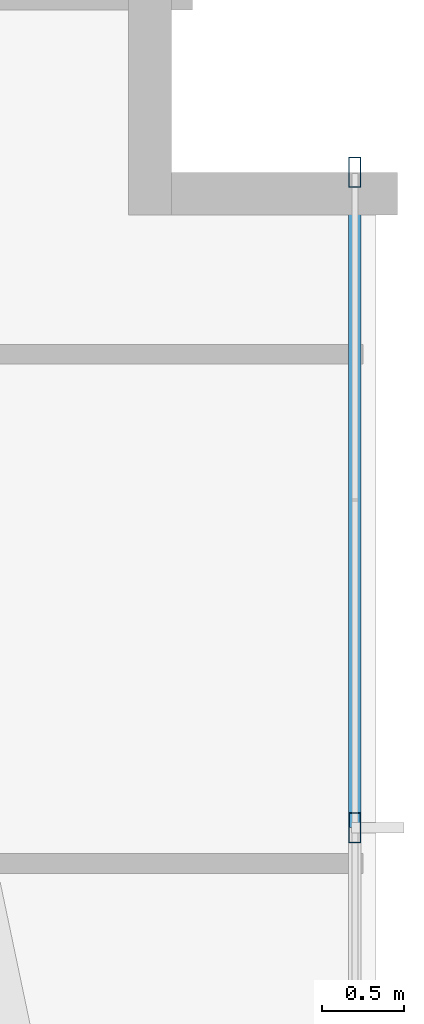
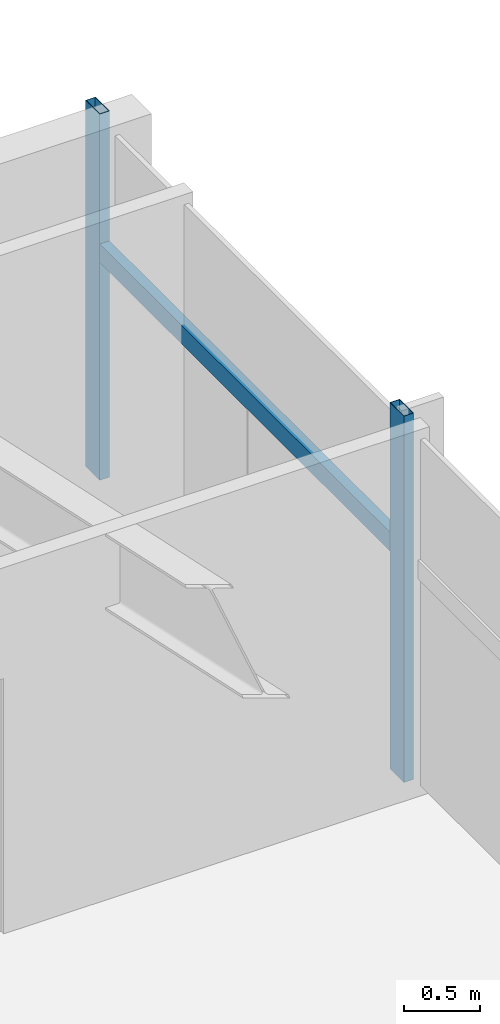
# One storey, part 17 of 25: 3 members, 1 element without a shape of its own.
"""IFC4 building model written with IfcOpenShell, lengths in metres."""

import ifcopenshell
import ifcopenshell.guid

model = None  # the IFC model being written
_history = None  # IfcOwnerHistory: only IFC2X3 demands one
_inside = {}  # id of a spatial element -> (the spatial element, [elements in it])
_under = {}  # id of a project, library or spatial element -> (it, [spatial elements below it])
_declared = {}  # id of a project -> (the project, [libraries it declares])
_typed = {}  # id of a type object -> (the type object, [elements of that type])
_made_of = {}  # id of a material, layer set ... -> (it, [elements and type objects made of it])


def new_model(schema):
    """Start an empty IFC model of exactly this schema.

    Asked for "IFC4X3", IfcOpenShell would pick the latest addendum, in which some entities
    have other attributes; the version numbers below select the first issue.
    IFC2X3 requires an IfcOwnerHistory on every rooted entity: one is made here for all.
    """
    global model, _history
    if schema == "IFC4X3":
        model = ifcopenshell.file(schema_version=(4, 3, 0, 0))
    else:
        model = ifcopenshell.file(schema=schema)
    _inside.clear()
    _under.clear()
    _declared.clear()
    _typed.clear()
    _made_of.clear()
    _history = None
    if model.schema == "IFC2X3":
        org = make("IfcOrganization", Name="unknown")
        user = make(
            "IfcPersonAndOrganization",
            ThePerson=make("IfcPerson", FamilyName="unknown"),
            TheOrganization=org,
        )
        app = make(
            "IfcApplication",
            ApplicationDeveloper=org,
            Version="unknown",
            ApplicationFullName="unknown",
            ApplicationIdentifier="unknown",
        )
        _history = make(
            "IfcOwnerHistory",
            OwningUser=user,
            OwningApplication=app,
            ChangeAction="ADDED",
            CreationDate=0,
        )
    return model


def make(cls, **values):
    """One entity of the class cls with the attributes given. An attribute that is None is left unset."""
    return model.create_entity(
        cls, **{name: value for name, value in values.items() if value is not None}
    )


def rooted(cls, **values):
    """An entity with a GlobalId (a new one), such as an element, a storey or a relation."""
    return make(cls, GlobalId=ifcopenshell.guid.new(), OwnerHistory=_history, **values)


def si_unit(unit_type, name, prefix=None):
    """IfcSIUnit, for example si_unit("LENGTHUNIT", "METRE", prefix="MILLI")."""
    return make("IfcSIUnit", UnitType=unit_type, Prefix=prefix, Name=name)


def assignment(units):
    """IfcUnitAssignment: the units of a project."""
    return None if units is None else make("IfcUnitAssignment", Units=units)


def point(xyz):
    """IfcCartesianPoint."""
    return None if xyz is None else make("IfcCartesianPoint", Coordinates=xyz)


def direction(xyz):
    """IfcDirection."""
    return None if xyz is None else make("IfcDirection", DirectionRatios=xyz)


def frame(location, z_axis=None, x_axis=None):
    """IfcAxis2Placement3D, a coordinate frame: its origin and axes. An axis left out is left unset."""
    return make(
        "IfcAxis2Placement3D",
        Location=point(location),
        Axis=direction(z_axis),
        RefDirection=direction(x_axis),
    )


def frame_2d(location, x_axis=None):
    """IfcAxis2Placement2D, a coordinate frame in the plane: its origin and x axis."""
    return make(
        "IfcAxis2Placement2D", Location=point(location), RefDirection=direction(x_axis)
    )


def origin():
    """The frame at (0, 0, 0) with its axes left unset."""
    return frame((0.0, 0.0, 0.0))


def origin_2d():
    """The frame at (0, 0) in the plane with its x axis left unset."""
    return frame_2d((0.0, 0.0))


def place(relative_to, where):
    """IfcLocalPlacement: puts the frame where relative to a parent placement (None: the world)."""
    return make(
        "IfcLocalPlacement", PlacementRelTo=relative_to, RelativePlacement=where
    )


def context(
    kind, dimensions, precision=None, world=None, true_north=None, identifier=None
):
    """IfcGeometricRepresentationContext, for example the 3D "Model" context."""
    return make(
        "IfcGeometricRepresentationContext",
        ContextIdentifier=identifier,
        ContextType=kind,
        CoordinateSpaceDimension=dimensions,
        Precision=precision,
        WorldCoordinateSystem=world,
        TrueNorth=true_north,
    )


def subcontext(parent, identifier, kind, view, scale=None):
    """IfcGeometricRepresentationSubContext, for example "Body" below "Model"."""
    return make(
        "IfcGeometricRepresentationSubContext",
        ContextIdentifier=identifier,
        ContextType=kind,
        ParentContext=parent,
        TargetScale=scale,
        TargetView=view,
    )


def project(units=None, contexts=None):
    """IfcProject with its units and contexts."""
    return rooted(
        "IfcProject",
        Name="project",
        RepresentationContexts=contexts,
        UnitsInContext=assignment(units),
    )


def spatial(cls, under=None, at=None, **own):
    """A site, building, storey or space (cls), placed at a placement, below another one or the project."""
    s = rooted(cls, ObjectPlacement=at, **own)
    if under is not None:
        _under.setdefault(under.id(), (under, []))[1].append(s)
    return s


def profile(cls, at=None, kind="AREA", **sizes):
    """A parametric profile (cls). Its sizes go by their IFC names, for example OverallWidth=200.0."""
    return make(cls, ProfileType=kind, Position=at, **sizes)


def hollow_rectangle(**sizes):
    """IfcRectangleHollowProfileDef."""
    return profile("IfcRectangleHollowProfileDef", **sizes)


def extrude(swept, where, along, depth):
    """IfcExtrudedAreaSolid: the profile swept, set in the frame where, extruded along a direction by depth."""
    return make(
        "IfcExtrudedAreaSolid",
        SweptArea=swept,
        Position=where,
        ExtrudedDirection=direction(along),
        Depth=depth,
    )


def shape(context_of_items, identifier, shape_type, items):
    """IfcShapeRepresentation: the items that make up one representation, for example the "Body"."""
    return make(
        "IfcShapeRepresentation",
        ContextOfItems=context_of_items,
        RepresentationIdentifier=identifier,
        RepresentationType=shape_type,
        Items=items,
    )


def source(mapping_origin, context_of_items, identifier, shape_type, items):
    """IfcRepresentationMap: a shape defined once, which mapped items show again and again."""
    return make(
        "IfcRepresentationMap",
        MappingOrigin=mapping_origin,
        MappedRepresentation=shape(context_of_items, identifier, shape_type, items),
    )


def transform(
    local_origin,
    x_axis=None,
    y_axis=None,
    z_axis=None,
    scale=None,
    scale2=None,
    scale3=None,
    uniform=True,
):
    """IfcCartesianTransformationOperator3D, or its non-uniform kind. x_axis, y_axis, z_axis: its Axis1, 2, 3."""
    if uniform:
        return make(
            "IfcCartesianTransformationOperator3D",
            Axis1=direction(x_axis),
            Axis2=direction(y_axis),
            LocalOrigin=point(local_origin),
            Scale=scale,
            Axis3=direction(z_axis),
        )
    return make(
        "IfcCartesianTransformationOperator3DnonUniform",
        Axis1=direction(x_axis),
        Axis2=direction(y_axis),
        LocalOrigin=point(local_origin),
        Scale=scale,
        Axis3=direction(z_axis),
        Scale2=scale2,
        Scale3=scale3,
    )


def mapped(mapping_source, mapping_target):
    """IfcMappedItem: shows the shape of a source again, moved by a transform."""
    return make(
        "IfcMappedItem", MappingSource=mapping_source, MappingTarget=mapping_target
    )


def material(Name=None, Category=None):
    """IfcMaterial."""
    return make("IfcMaterial", Name=Name, Category=Category)


def material_profile(
    of_material, cross_section, Name=None, Category=None, Priority=None
):
    """IfcMaterialProfile: a cross section and its material."""
    return make(
        "IfcMaterialProfile",
        Name=Name,
        Material=of_material,
        Profile=cross_section,
        Priority=Priority,
        Category=Category,
    )


def profile_set(profiles, Name=None, composite=None):
    """IfcMaterialProfileSet."""
    return make(
        "IfcMaterialProfileSet",
        Name=Name,
        MaterialProfiles=profiles,
        CompositeProfile=composite,
    )


def made_of(thing, what):
    """Note that an element or type object is made of a material, layer set ...; save() writes the relation."""
    if what is not None:
        _made_of.setdefault(what.id(), (what, []))[1].append(thing)
    return thing


def type_object(cls, material=None, **own):
    """A type object (cls), such as IfcWallType, which elements share."""
    return made_of(rooted(cls, **own), material)


def type_shapes(of_type, sources):
    """Give a type object the sources (RepresentationMaps) that its elements show as mapped items."""
    of_type.RepresentationMaps = sources


def element(
    cls,
    number,
    at=None,
    inside=None,
    cuts=None,
    type_object=None,
    material=None,
    context=None,
    identifier="Body",
    shape_type=None,
    held_by="IfcProductDefinitionShape",
    body=None,
    shapes=None,
    **own,
):
    """One element of the class cls, such as IfcWall. Its Tag is "e" and its number.

    at: its placement. inside: the storey or other place that contains it. cuts: it is an
    opening in that element (IfcRelVoidsElement). A single representation is given by context,
    identifier, shape_type and body (its items); several are given by shapes. held_by: the class
    of the entity that holds the representations. save() writes the other relations.
    """
    e = rooted(cls, Tag="e%d" % number, ObjectPlacement=at, **own)
    if body is not None:
        shapes = [shape(context, identifier, shape_type, body)]
    if shapes is not None:
        e.Representation = make(held_by, Representations=shapes)
    if inside is not None:
        _inside.setdefault(inside.id(), (inside, []))[1].append(e)
    if cuts is not None:
        rooted(
            "IfcRelVoidsElement", RelatingBuildingElement=cuts, RelatedOpeningElement=e
        )
    if type_object is not None:
        _typed.setdefault(type_object.id(), (type_object, []))[1].append(e)
    return made_of(e, material)


def aggregate(whole, parts):
    """IfcRelAggregates: a whole, such as a stair, and the parts it consists of."""
    return rooted("IfcRelAggregates", RelatingObject=whole, RelatedObjects=parts)


def save(model, path):
    """Write the relations noted so far, then the file.

    IfcRelAggregates (storeys below a building ...), IfcRelContainedInSpatialStructure (elements
    in a storey), IfcRelDefinesByType, IfcRelAssociatesMaterial and IfcRelDeclares: one each for
    every whole, place, type object, material and project.
    """
    for whole, parts in _under.values():
        aggregate(whole, parts)
    for where, things in _inside.values():
        rooted(
            "IfcRelContainedInSpatialStructure",
            RelatedElements=things,
            RelatingStructure=where,
        )
    for kind, things in _typed.values():
        rooted("IfcRelDefinesByType", RelatedObjects=things, RelatingType=kind)
    for what, things in _made_of.values():
        rooted("IfcRelAssociatesMaterial", RelatedObjects=things, RelatingMaterial=what)
    for by, libraries in _declared.values():
        rooted("IfcRelDeclares", RelatingContext=by, RelatedDefinitions=libraries)
    model.write(path)


model = new_model("IFC4")

# Units and contexts
model_context = context("Model", 3, precision=1e-05, world=origin(), true_north=direction((0.0, 1.0)))
body_context = subcontext(model_context, "Body", "Model", "MODEL_VIEW")
ifc_project = project(units=[si_unit("LENGTHUNIT", "METRE"), si_unit("AREAUNIT", "SQUARE_METRE"), si_unit("VOLUMEUNIT", "CUBIC_METRE"), si_unit("PLANEANGLEUNIT", "RADIAN"), si_unit("MASSUNIT", "GRAM", prefix="KILO")], contexts=[model_context])

# Site, building, storey
site_placement = place(None, origin())
site = spatial("IfcSite", under=ifc_project, at=site_placement, CompositionType="ELEMENT")
building_placement = place(site_placement, origin())
building = spatial("IfcBuilding", under=site, at=building_placement, Name="Astriad Promenade Condominiums", CompositionType="ELEMENT")
storey_placement = place(building_placement, frame((0.0, 0.0, 29.39990234375)))
storey = spatial("IfcBuildingStorey", under=building, at=storey_placement, Name="L07", CompositionType="ELEMENT", Elevation=29.39990234375)

# Curtain wall, members
ifc_material_1 = material(Name="Anodised aluminium Black Dark Glass Unitised", Category="aluminium")
curtain_wall_type = type_object("IfcCurtainWallType", Name="CW-B1-DARK", PredefinedType="USERDEFINED", material=ifc_material_1)
curtain_wall_placement = place(storey_placement, origin())
curtain_wall = element("IfcCurtainWall", 1, at=curtain_wall_placement, inside=storey, type_object=curtain_wall_type, Name="CW-L07-E", ObjectType="UNITISED_CURTAIN_WALL", PredefinedType="USERDEFINED")
ifc_material_2 = material(Name="Anodised aluminium 6063-T6 Black", Category="aluminium")
ifc_material_profile_1 = material_profile(ifc_material_2, hollow_rectangle(XDim=0.074951171875, YDim=0.14990234375, WallThickness=0.004150390625, at=origin_2d()), Name="ALU-TRN-75X150")
ifc_profile_set_1 = profile_set([ifc_material_profile_1], Name="Anodised aluminium 6063-T6 Black")
member_type_1 = type_object("IfcMemberType", Name="TRN-ALU-TRN-75X150", PredefinedType="USERDEFINED", material=ifc_profile_set_1)
shared_shape_1 = source(origin(), body_context, "Body", "SweptSolid", [
    extrude(hollow_rectangle(XDim=0.074951171875, YDim=0.14990234375, WallThickness=0.004150390625, at=origin_2d()), origin(), (0.0, 0.0, 1.0), 4.0),
])
type_shapes(member_type_1, [shared_shape_1])
member_1_placement = place(storey_placement, frame((59.669921875, 25.199951171875, 1.822998046875), z_axis=(0.0, -1.0, 0.0), x_axis=(1.0, 0.0, 0.0)))
member_1 = element("IfcMember", 2, at=member_1_placement, type_object=member_type_1, Name="CW-L07-E-TRN-00-0", ObjectType="TRANSOM", PredefinedType="USERDEFINED", context=body_context, shape_type="MappedRepresentation", body=[
    mapped(shared_shape_1, transform((0.0, 0.0, 0.0), scale=1.0)),
])
ifc_material_profile_2 = material_profile(ifc_material_2, hollow_rectangle(XDim=0.074951171875, YDim=0.18505859375, WallThickness=0.00439453125, at=origin_2d()), Name="ALU-MUL-75X185")
ifc_profile_set_2 = profile_set([ifc_material_profile_2], Name="Anodised aluminium 6063-T6 Black")
member_type_2 = type_object("IfcMemberType", Name="MUL-ALU-MUL-75X185", PredefinedType="MULLION", material=ifc_profile_set_2)
shared_shape_2 = source(origin(), body_context, "Body", "SweptSolid", [
    extrude(hollow_rectangle(XDim=0.074951171875, YDim=0.18505859375, WallThickness=0.00439453125, at=origin_2d()), origin(), (0.0, 0.0, 1.0), 2.940185546875),
])
type_shapes(member_type_2, [shared_shape_2])
member_2_placement = place(storey_placement, frame((59.669921875, 25.199951171875, 0.0), z_axis=(0.0, 0.0, 1.0), x_axis=(1.0, 0.0, 0.0)))
member_2 = element("IfcMember", 3, at=member_2_placement, type_object=member_type_2, Name="CW-L07-E-MUL-00", PredefinedType="MULLION", context=body_context, shape_type="MappedRepresentation", body=[
    mapped(shared_shape_2, transform((0.0, 0.0, 0.0), scale=1.0)),
])
member_3_placement = place(storey_placement, frame((59.669921875, 21.199951171875, 0.0), z_axis=(0.0, 0.0, 1.0), x_axis=(1.0, 0.0, 0.0)))
member_3 = element("IfcMember", 4, at=member_3_placement, type_object=member_type_2, Name="CW-L07-E-MUL-01", PredefinedType="MULLION", context=body_context, shape_type="MappedRepresentation", body=[
    mapped(shared_shape_2, transform((0.0, 0.0, 0.0), scale=1.0)),
])
aggregate(curtain_wall, [member_2, member_3, member_1])

save(model, "model.ifc")
